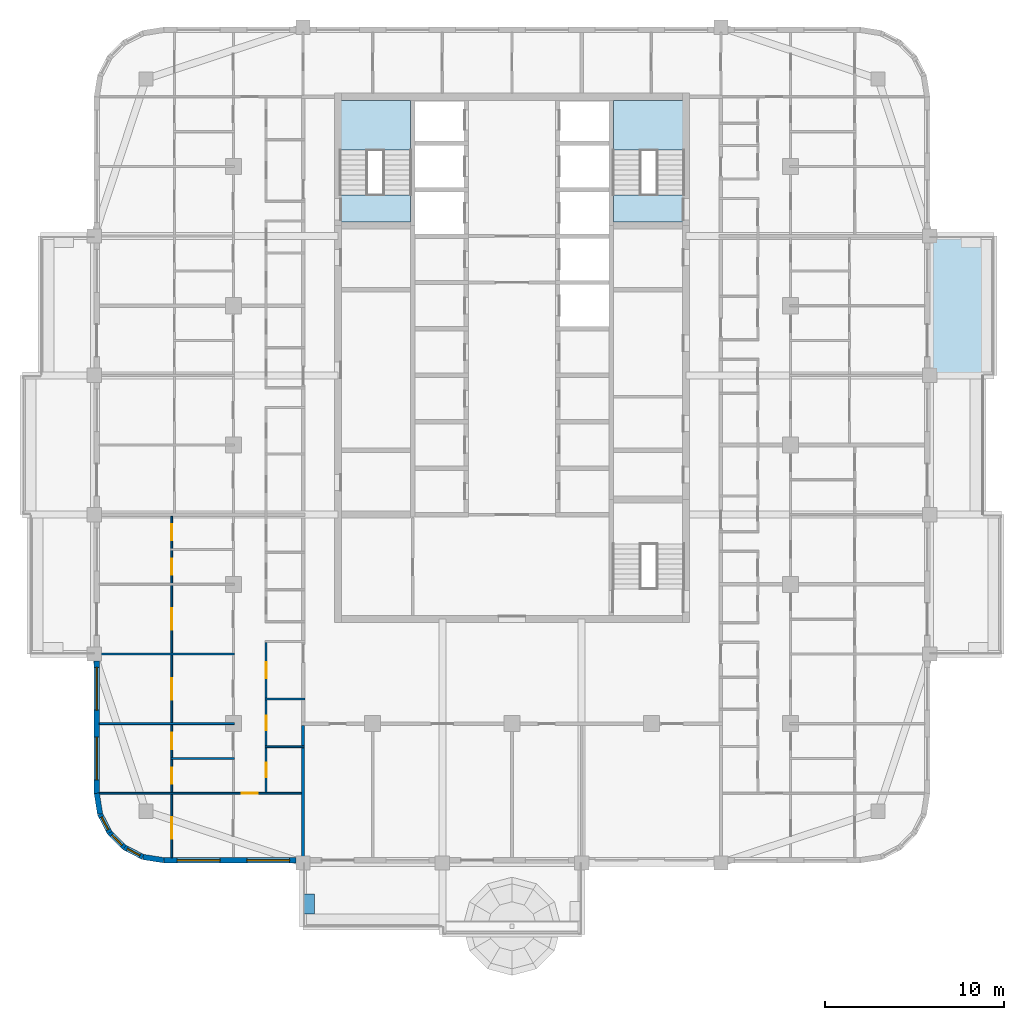
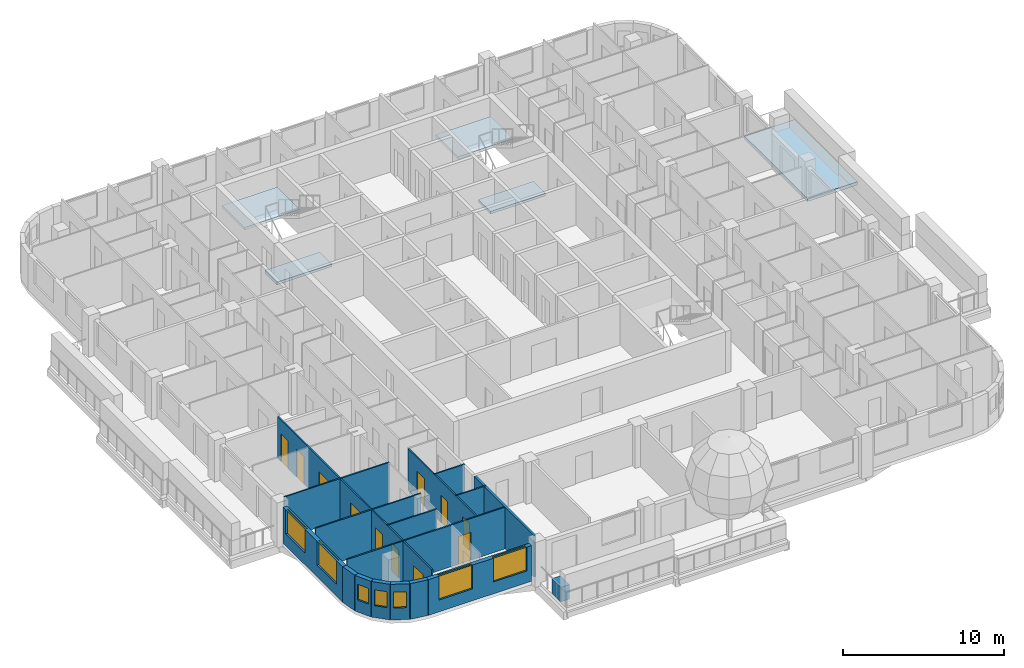
# One storey, part 2 of 17: 17 walls, 11 doors, 7 windows, 5 slabs, 18 openings, 2 elements without a shape of their own.
"""IFC4 building model written with IfcOpenShell, lengths in metres."""

from ifc_helpers import new_model, si_unit, direction, frame, frame_2d, origin, place, context, subcontext, project, spatial, polyline, rectangle, outline, extrude, material, layer, layer_set, type_object, element, fill, aggregate, save


model = new_model("IFC4")

# Units and contexts
model_context = context("Model", 3, precision=1e-05, world=origin(), true_north=direction((0.0, 1.0)))
body_context = subcontext(model_context, "Body", "Model", "MODEL_VIEW")
ifc_project = project(units=[si_unit("LENGTHUNIT", "METRE"), si_unit("AREAUNIT", "SQUARE_METRE"), si_unit("VOLUMEUNIT", "CUBIC_METRE"), si_unit("PLANEANGLEUNIT", "RADIAN"), si_unit("MASSUNIT", "GRAM", prefix="KILO")], contexts=[model_context])

# Site, building, storey
site_placement = place(None, origin())
site = spatial("IfcSite", under=ifc_project, at=site_placement, CompositionType="ELEMENT")
building_placement = place(site_placement, origin())
building = spatial("IfcBuilding", under=site, at=building_placement, Name="Ludao Terraces", CompositionType="ELEMENT")
storey_placement = place(building_placement, frame((0.0, 0.0, 221.10009765625)))
storey = spatial("IfcBuildingStorey", under=building, at=storey_placement, Name="L60", CompositionType="ELEMENT", Elevation=221.10009765625)

# Slab
ifc_material_1 = material(Name="Concrete C40", Category="concrete")
ifc_layer_1 = layer(ifc_material_1, 0.25)
ifc_layer_set_1 = layer_set([ifc_layer_1], Name="Balcony slab 250 C40")
slab_type_1 = type_object("IfcSlabType", Name="Balcony slab 250 C40", PredefinedType="USERDEFINED", material=ifc_layer_set_1)
slab_1_placement = place(storey_placement, frame((0.0, 0.0, -0.25)))
element("IfcSlab", 1, at=slab_1_placement, inside=storey, type_object=slab_type_1, Name="Balcony L60 E3", ObjectType="BALCONY", PredefinedType="USERDEFINED", context=body_context, shape_type="SweptSolid", body=[
    extrude(outline(polyline([(108.39990234375, 68.89990234375), (112.0, 68.89990234375), (112.0, 76.699951171875), (108.39990234375, 76.699951171875), (108.39990234375, 68.89990234375)])), origin(), (0.0, 0.0, 1.0), 0.25),
])

# Stair, slabs
stair_type = type_object("IfcStairType", Name="INT Stair", PredefinedType="HALF_TURN_STAIR", material=ifc_material_1)
stair_1_placement = place(storey_placement, origin())
stair_1 = element("IfcStair", 2, at=stair_1_placement, inside=storey, type_object=stair_type, Name="EXIT STAIR 1", PredefinedType="HALF_TURN_STAIR")
ifc_layer_2 = layer(ifc_material_1, 0.199951171875)
ifc_layer_set_2 = layer_set([ifc_layer_2], Name="INT Stair landing 200")
slab_type_2 = type_object("IfcSlabType", Name="INT Stair landing 200", PredefinedType="LANDING", material=ifc_layer_set_2)
slab_2_placement = place(storey_placement, frame((0.0, 0.0, 1.5)))
slab_2 = element("IfcSlab", 3, at=slab_2_placement, type_object=slab_type_2, Name="ST1 landing 1", PredefinedType="LANDING", context=body_context, shape_type="SweptSolid", body=[
    extrude(outline(polyline([(75.375, 81.52001953125), (79.324951171875, 81.52001953125), (79.324951171875, 84.300048828125), (75.375, 84.300048828125), (75.375, 81.52001953125)])), origin(), (0.0, 0.0, 1.0), 0.199951171875),
])
slab_3_placement = place(storey_placement, frame((0.0, 0.0, -0.2001953125)))
slab_3 = element("IfcSlab", 4, at=slab_3_placement, type_object=slab_type_2, Name="ST1 landing 2", PredefinedType="LANDING", context=body_context, shape_type="SweptSolid", body=[
    extrude(outline(polyline([(75.375, 77.5), (79.324951171875, 77.5), (79.324951171875, 79.0), (75.375, 79.0), (75.375, 77.5)])), origin(), (0.0, 0.0, 1.0), 0.2001953125),
])
aggregate(stair_1, [slab_2, slab_3])

stair_2_placement = place(storey_placement, origin())
stair_2 = element("IfcStair", 5, at=stair_2_placement, inside=storey, type_object=stair_type, Name="EXIT STAIR 2", PredefinedType="HALF_TURN_STAIR")
slab_4_placement = place(storey_placement, frame((0.0, 0.0, 1.5)))
slab_4 = element("IfcSlab", 6, at=slab_4_placement, type_object=slab_type_2, Name="ST2 landing 1", PredefinedType="LANDING", context=body_context, shape_type="SweptSolid", body=[
    extrude(outline(polyline([(90.675048828125, 81.52001953125), (94.625, 81.52001953125), (94.625, 84.300048828125), (90.675048828125, 84.300048828125), (90.675048828125, 81.52001953125)])), origin(), (0.0, 0.0, 1.0), 0.199951171875),
])
slab_5_placement = place(storey_placement, frame((0.0, 0.0, -0.2001953125)))
slab_5 = element("IfcSlab", 7, at=slab_5_placement, type_object=slab_type_2, Name="ST2 landing 2", PredefinedType="LANDING", context=body_context, shape_type="SweptSolid", body=[
    extrude(outline(polyline([(90.675048828125, 77.5), (94.625, 77.5), (94.625, 79.0), (90.675048828125, 79.0), (90.675048828125, 77.5)])), origin(), (0.0, 0.0, 1.0), 0.2001953125),
])
aggregate(stair_2, [slab_4, slab_5])

# Wall
ifc_layer_3 = layer(ifc_material_1, 0.60009765625)
ifc_layer_set_3 = layer_set([ifc_layer_3], Name="ENV Planter trough 600")
wall_type_1 = type_object("IfcWallType", Name="ENV Planter trough 600", PredefinedType="USERDEFINED", material=ifc_layer_set_3)
wall_1_placement = place(storey_placement, frame((73.64990234375, 38.75, 0.0), z_axis=(0.0, 0.0, 1.0), x_axis=(0.0, 1.0, 0.0)))
element("IfcWall", 8, at=wall_1_placement, inside=storey, type_object=wall_type_1, Name="PL-L60-S1-SA", ObjectType="PLANTER", PredefinedType="USERDEFINED", context=body_context, shape_type="SweptSolid", body=[
    extrude(rectangle(XDim=1.10009765625, YDim=0.60009765625, at=frame_2d((0.550048828125, 0.0))), origin(), (0.0, 0.0, 1.0), 1.099853515625),
])

# Wall, openings, windows
ifc_material_2 = material(Name="Granite cladding", Category="masonry")
ifc_layer_4 = layer(ifc_material_2, 0.0400390625, Category="stone")
ifc_material_3 = material(Name="Mineral wool")
ifc_layer_5 = layer(ifc_material_3, 0.06005859375)
ifc_layer_6 = layer(ifc_material_1, 0.199951171875, Category="concrete")
ifc_layer_set_4 = layer_set([ifc_layer_4, ifc_layer_5, ifc_layer_6], Name="ENV Stone-clad wall 300")
wall_type_2 = type_object("IfcWallType", Name="ENV Stone-clad wall 300", PredefinedType="SOLIDWALL", material=ifc_layer_set_4)
wall_2_placement = place(storey_placement, frame((65.5, 41.75, 0.0), z_axis=(0.0, 0.0, 1.0), x_axis=(1.0, 0.0, 0.0)))
wall_2 = element("IfcWall", 9, at=wall_2_placement, inside=storey, type_object=wall_type_2, Name="EW-L60-S1", PredefinedType="SOLIDWALL", context=body_context, shape_type="SweptSolid", body=[
    extrude(rectangle(XDim=7.39990234375, YDim=0.300048828125, at=frame_2d((3.699951171875, 0.0))), origin(), (0.0, 0.0, 1.0), 2.699951171875),
])
opening_1_placement = place(wall_2_placement, frame((0.75, 0.0, 0.89990234375)))
opening_1 = element("IfcOpeningElement", 10, at=opening_1_placement, cuts=wall_2, Name="Opening W1", PredefinedType="OPENING", context=body_context, shape_type="SweptSolid", body=[
    extrude(rectangle(XDim=2.39990234375, YDim=1.800048828125, at=frame_2d((1.199951171875, 0.89990234375))), frame((0.0, 0.16015625, 0.0), z_axis=(0.0, -1.0, 0.0), x_axis=(1.0, 0.0, 0.0)), (0.0, 0.0, 1.0), 0.320068359375),
])
opening_2_placement = place(wall_2_placement, frame((4.64990234375, 0.0, 0.89990234375)))
opening_2 = element("IfcOpeningElement", 11, at=opening_2_placement, cuts=wall_2, Name="Opening W1", PredefinedType="OPENING", context=body_context, shape_type="SweptSolid", body=[
    extrude(rectangle(XDim=2.39990234375, YDim=1.800048828125, at=frame_2d((1.199951171875, 0.89990234375))), frame((0.0, 0.16015625, 0.0), z_axis=(0.0, -1.0, 0.0), x_axis=(1.0, 0.0, 0.0)), (0.0, 0.0, 1.0), 0.320068359375),
])
ifc_material_4 = material(Name="Clear glass in aluminium frame", Category="aluminium")
ifc_layer_7 = layer(ifc_material_4, 0.06005859375)
ifc_layer_set_5 = layer_set([ifc_layer_7], Name="ENV Window W1 2400x1800")
window_type_1 = type_object("IfcWindowType", Name="ENV Window W1 2400x1800", PartitioningType="DOUBLE_PANEL_VERTICAL", PredefinedType="WINDOW", material=ifc_layer_set_5)
window_1_placement = place(opening_1_placement, origin())
window_1 = element("IfcWindow", 12, at=window_1_placement, inside=storey, type_object=window_type_1, Name="W-L60-S1-1", OverallHeight=1.800048828125, OverallWidth=2.39990234375, PartitioningType="DOUBLE_PANEL_VERTICAL", PredefinedType="WINDOW", context=body_context, shape_type="SweptSolid", body=[
    extrude(rectangle(XDim=2.39990234375, YDim=1.800048828125, at=frame_2d((1.199951171875, 0.89990234375))), frame((0.0, 0.030029296875, 0.0), z_axis=(0.0, -1.0, 0.0), x_axis=(1.0, 0.0, 0.0)), (0.0, 0.0, 1.0), 0.06005859375),
])
fill(opening_1, window_1)
window_2_placement = place(opening_2_placement, origin())
window_2 = element("IfcWindow", 13, at=window_2_placement, inside=storey, type_object=window_type_1, Name="W-L60-S1-2", OverallHeight=1.800048828125, OverallWidth=2.39990234375, PartitioningType="DOUBLE_PANEL_VERTICAL", PredefinedType="WINDOW", context=body_context, shape_type="SweptSolid", body=[
    extrude(rectangle(XDim=2.39990234375, YDim=1.800048828125, at=frame_2d((1.199951171875, 0.89990234375))), frame((0.0, 0.030029296875, 0.0), z_axis=(0.0, -1.0, 0.0), x_axis=(1.0, 0.0, 0.0)), (0.0, 0.0, 1.0), 0.06005859375),
])
fill(opening_2, window_2)

wall_3_placement = place(storey_placement, frame((61.75, 45.5, 0.0), z_axis=(0.0, 0.0, 1.0), x_axis=(0.0, 1.0, 0.0)))
wall_3 = element("IfcWall", 14, at=wall_3_placement, inside=storey, type_object=wall_type_2, Name="EW-L60-W1", PredefinedType="SOLIDWALL", context=body_context, shape_type="SweptSolid", body=[
    extrude(rectangle(XDim=7.39990234375, YDim=0.300048828125, at=frame_2d((3.699951171875, 0.0))), origin(), (0.0, 0.0, 1.0), 2.699951171875),
])
opening_3_placement = place(wall_3_placement, frame((0.75, 0.0, 0.89990234375)))
opening_3 = element("IfcOpeningElement", 15, at=opening_3_placement, cuts=wall_3, Name="Opening W1", PredefinedType="OPENING", context=body_context, shape_type="SweptSolid", body=[
    extrude(rectangle(XDim=2.39990234375, YDim=1.800048828125, at=frame_2d((1.199951171875, 0.89990234375))), frame((0.0, 0.16015625, 0.0), z_axis=(0.0, -1.0, 0.0), x_axis=(1.0, 0.0, 0.0)), (0.0, 0.0, 1.0), 0.320068359375),
])
opening_4_placement = place(wall_3_placement, frame((4.64990234375, 0.0, 0.89990234375)))
opening_4 = element("IfcOpeningElement", 16, at=opening_4_placement, cuts=wall_3, Name="Opening W1", PredefinedType="OPENING", context=body_context, shape_type="SweptSolid", body=[
    extrude(rectangle(XDim=2.39990234375, YDim=1.800048828125, at=frame_2d((1.199951171875, 0.89990234375))), frame((0.0, 0.16015625, 0.0), z_axis=(0.0, -1.0, 0.0), x_axis=(1.0, 0.0, 0.0)), (0.0, 0.0, 1.0), 0.320068359375),
])
window_3_placement = place(opening_3_placement, origin())
window_3 = element("IfcWindow", 17, at=window_3_placement, inside=storey, type_object=window_type_1, Name="W-L60-W1-1", OverallHeight=1.800048828125, OverallWidth=2.39990234375, PartitioningType="DOUBLE_PANEL_VERTICAL", PredefinedType="WINDOW", context=body_context, shape_type="SweptSolid", body=[
    extrude(rectangle(XDim=2.39990234375, YDim=1.800048828125, at=frame_2d((1.199951171875, 0.89990234375))), frame((0.0, 0.030029296875, 0.0), z_axis=(0.0, -1.0, 0.0), x_axis=(1.0, 0.0, 0.0)), (0.0, 0.0, 1.0), 0.06005859375),
])
fill(opening_3, window_3)
window_4_placement = place(opening_4_placement, origin())
window_4 = element("IfcWindow", 18, at=window_4_placement, inside=storey, type_object=window_type_1, Name="W-L60-W1-2", OverallHeight=1.800048828125, OverallWidth=2.39990234375, PartitioningType="DOUBLE_PANEL_VERTICAL", PredefinedType="WINDOW", context=body_context, shape_type="SweptSolid", body=[
    extrude(rectangle(XDim=2.39990234375, YDim=1.800048828125, at=frame_2d((1.199951171875, 0.89990234375))), frame((0.0, 0.030029296875, 0.0), z_axis=(0.0, -1.0, 0.0), x_axis=(1.0, 0.0, 0.0)), (0.0, 0.0, 1.0), 0.06005859375),
])
fill(opening_4, window_4)

# Wall
wall_4_placement = place(storey_placement, frame((61.75, 45.5, 0.0), z_axis=(0.0, 0.0, 1.0), x_axis=(0.156496880861, -0.987678452879, 0.0)))
element("IfcWall", 19, at=wall_4_placement, inside=storey, type_object=wall_type_2, Name="EW-L60-SW1", PredefinedType="SOLIDWALL", context=body_context, shape_type="SweptSolid", body=[
    extrude(rectangle(XDim=1.173095703125, YDim=0.300048828125, at=frame_2d((0.58642578125, 0.0))), origin(), (0.0, 0.0, 1.0), 2.699951171875),
])

# Wall, opening, window
wall_5_placement = place(storey_placement, frame((61.93359375, 44.34130859375, 0.0), z_axis=(0.0, 0.0, 1.0), x_axis=(0.454025524128, -0.890988677504, 0.0)))
wall_5 = element("IfcWall", 20, at=wall_5_placement, inside=storey, type_object=wall_type_2, Name="EW-L60-SW2", PredefinedType="SOLIDWALL", context=body_context, shape_type="SweptSolid", body=[
    extrude(rectangle(XDim=1.17333984375, YDim=0.300048828125, at=frame_2d((0.586669921875, 0.0))), origin(), (0.0, 0.0, 1.0), 2.699951171875),
])
opening_5_placement = place(wall_5_placement, frame((0.1865234375, 0.0, 0.89990234375)))
opening_5 = element("IfcOpeningElement", 21, at=opening_5_placement, cuts=wall_5, Name="Opening W3", PredefinedType="OPENING", context=body_context, shape_type="SweptSolid", body=[
    extrude(rectangle(XDim=0.800048828125, YDim=1.199951171875, at=frame_2d((0.39990234375, 0.60009765625))), frame((0.0, 0.16015625, 0.0), z_axis=(0.0, -1.0, 0.0), x_axis=(1.0, 0.0, 0.0)), (0.0, 0.0, 1.0), 0.320068359375),
])
ifc_layer_8 = layer(ifc_material_4, 0.06005859375)
ifc_layer_set_6 = layer_set([ifc_layer_8], Name="ENV Window W3 800x1200")
window_type_2 = type_object("IfcWindowType", Name="ENV Window W3 800x1200", PartitioningType="SINGLE_PANEL", PredefinedType="WINDOW", material=ifc_layer_set_6)
window_5_placement = place(opening_5_placement, origin())
window_5 = element("IfcWindow", 22, at=window_5_placement, inside=storey, type_object=window_type_2, Name="W-L60-SW2", OverallHeight=1.199951171875, OverallWidth=0.800048828125, PartitioningType="SINGLE_PANEL", PredefinedType="WINDOW", context=body_context, shape_type="SweptSolid", body=[
    extrude(rectangle(XDim=0.800048828125, YDim=1.199951171875, at=frame_2d((0.39990234375, 0.60009765625))), frame((0.0, 0.030029296875, 0.0), z_axis=(0.0, -1.0, 0.0), x_axis=(1.0, 0.0, 0.0)), (0.0, 0.0, 1.0), 0.06005859375),
])
fill(opening_5, window_5)

wall_6_placement = place(storey_placement, frame((62.46630859375, 43.2958984375, 0.0), z_axis=(0.0, 0.0, 1.0), x_axis=(0.707106781187, -0.707106781187, 0.0)))
wall_6 = element("IfcWall", 23, at=wall_6_placement, inside=storey, type_object=wall_type_2, Name="EW-L60-SW3", PredefinedType="SOLIDWALL", context=body_context, shape_type="SweptSolid", body=[
    extrude(rectangle(XDim=1.173095703125, YDim=0.300048828125, at=frame_2d((0.58642578125, 0.0))), origin(), (0.0, 0.0, 1.0), 2.699951171875),
])
opening_6_placement = place(wall_6_placement, frame((0.1865234375, 0.0, 0.89990234375)))
opening_6 = element("IfcOpeningElement", 24, at=opening_6_placement, cuts=wall_6, Name="Opening W3", PredefinedType="OPENING", context=body_context, shape_type="SweptSolid", body=[
    extrude(rectangle(XDim=0.800048828125, YDim=1.199951171875, at=frame_2d((0.39990234375, 0.60009765625))), frame((0.0, 0.16015625, 0.0), z_axis=(0.0, -1.0, 0.0), x_axis=(1.0, 0.0, 0.0)), (0.0, 0.0, 1.0), 0.320068359375),
])
window_6_placement = place(opening_6_placement, origin())
window_6 = element("IfcWindow", 25, at=window_6_placement, inside=storey, type_object=window_type_2, Name="W-L60-SW3", OverallHeight=1.199951171875, OverallWidth=0.800048828125, PartitioningType="SINGLE_PANEL", PredefinedType="WINDOW", context=body_context, shape_type="SweptSolid", body=[
    extrude(rectangle(XDim=0.800048828125, YDim=1.199951171875, at=frame_2d((0.39990234375, 0.60009765625))), frame((0.0, 0.030029296875, 0.0), z_axis=(0.0, -1.0, 0.0), x_axis=(1.0, 0.0, 0.0)), (0.0, 0.0, 1.0), 0.06005859375),
])
fill(opening_6, window_6)

wall_7_placement = place(storey_placement, frame((63.2958984375, 42.46630859375, 0.0), z_axis=(0.0, 0.0, 1.0), x_axis=(0.890988677504, -0.454025524128, 0.0)))
wall_7 = element("IfcWall", 26, at=wall_7_placement, inside=storey, type_object=wall_type_2, Name="EW-L60-SW4", PredefinedType="SOLIDWALL", context=body_context, shape_type="SweptSolid", body=[
    extrude(rectangle(XDim=1.17333984375, YDim=0.300048828125, at=frame_2d((0.586669921875, 0.0))), origin(), (0.0, 0.0, 1.0), 2.699951171875),
])
opening_7_placement = place(wall_7_placement, frame((0.1865234375, 0.0, 0.89990234375)))
opening_7 = element("IfcOpeningElement", 27, at=opening_7_placement, cuts=wall_7, Name="Opening W3", PredefinedType="OPENING", context=body_context, shape_type="SweptSolid", body=[
    extrude(rectangle(XDim=0.800048828125, YDim=1.199951171875, at=frame_2d((0.39990234375, 0.60009765625))), frame((0.0, 0.16015625, 0.0), z_axis=(0.0, -1.0, 0.0), x_axis=(1.0, 0.0, 0.0)), (0.0, 0.0, 1.0), 0.320068359375),
])
window_7_placement = place(opening_7_placement, origin())
window_7 = element("IfcWindow", 28, at=window_7_placement, inside=storey, type_object=window_type_2, Name="W-L60-SW4", OverallHeight=1.199951171875, OverallWidth=0.800048828125, PartitioningType="SINGLE_PANEL", PredefinedType="WINDOW", context=body_context, shape_type="SweptSolid", body=[
    extrude(rectangle(XDim=0.800048828125, YDim=1.199951171875, at=frame_2d((0.39990234375, 0.60009765625))), frame((0.0, 0.030029296875, 0.0), z_axis=(0.0, -1.0, 0.0), x_axis=(1.0, 0.0, 0.0)), (0.0, 0.0, 1.0), 0.06005859375),
])
fill(opening_7, window_7)

# Wall
wall_8_placement = place(storey_placement, frame((64.34130859375, 41.93359375, 0.0), z_axis=(0.0, 0.0, 1.0), x_axis=(0.987678452879, -0.156496880861, 0.0)))
element("IfcWall", 29, at=wall_8_placement, inside=storey, type_object=wall_type_2, Name="EW-L60-SW5", PredefinedType="SOLIDWALL", context=body_context, shape_type="SweptSolid", body=[
    extrude(rectangle(XDim=1.173095703125, YDim=0.300048828125, at=frame_2d((0.58642578125, 0.0))), origin(), (0.0, 0.0, 1.0), 2.699951171875),
])

# Wall, opening, door
ifc_material_5 = material(Name="Gypsum plasterboard", Category="gypsum")
ifc_layer_9 = layer(ifc_material_5, 0.012451171875, Category="gypsum")
ifc_layer_10 = layer(ifc_material_3, 0.06005859375, Name="insulation")
ifc_material_6 = material(Name="Steel Q235", Category="steel")
ifc_layer_11 = layer(ifc_material_6, 0.014892578125, Name="stud")
ifc_layer_12 = layer(ifc_material_5, 0.012451171875, Category="gypsum")
ifc_layer_set_7 = layer_set([ifc_layer_9, ifc_layer_10, ifc_layer_11, ifc_layer_12], Name="INT Partition 100")
wall_type_3 = type_object("IfcWallType", Name="INT Partition 100", PredefinedType="PARTITIONING", material=ifc_layer_set_7)
wall_9_placement = place(storey_placement, frame((61.900146484375, 45.5, 0.0), z_axis=(0.0, 0.0, 1.0), x_axis=(1.0, 0.0, 0.0)))
wall_9 = element("IfcWall", 30, at=wall_9_placement, inside=storey, type_object=wall_type_3, Name="PW-L60-PW000", PredefinedType="PARTITIONING", context=body_context, shape_type="SweptSolid", body=[
    extrude(rectangle(XDim=11.474853515625, YDim=0.10009765625, at=frame_2d((5.7373046875, 0.0))), origin(), (0.0, 0.0, 1.0), 3.14990234375),
])
opening_8_placement = place(wall_9_placement, frame((7.965087890625, 0.0, 0.0)))
opening_8 = element("IfcOpeningElement", 31, at=opening_8_placement, cuts=wall_9, Name="Opening R21-005", PredefinedType="OPENING", context=body_context, shape_type="SweptSolid", body=[
    extrude(rectangle(XDim=0.89990234375, YDim=2.10009765625, at=frame_2d((0.449951171875, 1.050048828125))), frame((0.0, 0.06005859375, 0.0), z_axis=(0.0, -1.0, 0.0), x_axis=(1.0, 0.0, 0.0)), (0.0, 0.0, 1.0), 0.1201171875),
])
ifc_material_7 = material(Name="Timber door leaf", Category="wood")
door_type_1 = type_object("IfcDoorType", Name="INT Room door 900", OperationType="SINGLE_SWING_LEFT", PredefinedType="DOOR", material=ifc_material_7)
door_1_placement = place(opening_8_placement, origin())
door_1 = element("IfcDoor", 32, at=door_1_placement, inside=storey, type_object=door_type_1, Name="DOOR 005", OperationType="SINGLE_SWING_LEFT", OverallHeight=2.10009765625, OverallWidth=0.89990234375, PredefinedType="DOOR", context=body_context, shape_type="SweptSolid", body=[
    extrude(rectangle(XDim=0.89990234375, YDim=2.10009765625, at=frame_2d((0.449951171875, 1.050048828125))), frame((0.0, 0.02490234375, 0.0), z_axis=(0.0, -1.0, 0.0), x_axis=(1.0, 0.0, 0.0)), (0.0, 0.0, 1.0), 0.050048828125),
])
fill(opening_8, door_1)

# Walls
wall_10_placement = place(storey_placement, frame((65.900146484375, 47.449951171875, 0.0), z_axis=(0.0, 0.0, 1.0), x_axis=(1.0, 0.0, 0.0)))
element("IfcWall", 33, at=wall_10_placement, inside=storey, type_object=wall_type_3, Name="PW-L60-PW002", PredefinedType="PARTITIONING", context=body_context, shape_type="SweptSolid", body=[
    extrude(rectangle(XDim=3.550048828125, YDim=0.10009765625, at=frame_2d((1.77490234375, 0.0))), origin(), (0.0, 0.0, 1.0), 3.14990234375),
])
wall_11_placement = place(storey_placement, frame((71.18017578125, 48.10009765625, 0.0), z_axis=(0.0, 0.0, 1.0), x_axis=(1.0, 0.0, 0.0)))
element("IfcWall", 34, at=wall_11_placement, inside=storey, type_object=wall_type_3, Name="PW-L60-PW004", PredefinedType="PARTITIONING", context=body_context, shape_type="SweptSolid", body=[
    extrude(rectangle(XDim=2.19482421875, YDim=0.10009765625, at=frame_2d((1.097412109375, 0.0))), origin(), (0.0, 0.0, 1.0), 3.14990234375),
])
wall_12_placement = place(storey_placement, frame((61.900146484375, 49.39990234375, 0.0), z_axis=(0.0, 0.0, 1.0), x_axis=(1.0, 0.0, 0.0)))
element("IfcWall", 35, at=wall_12_placement, inside=storey, type_object=wall_type_3, Name="PW-L60-PW006", PredefinedType="PARTITIONING", context=body_context, shape_type="SweptSolid", body=[
    extrude(rectangle(XDim=7.550048828125, YDim=0.10009765625, at=frame_2d((3.77490234375, 0.0))), origin(), (0.0, 0.0, 1.0), 3.14990234375),
])
wall_13_placement = place(storey_placement, frame((71.18017578125, 50.780029296875, 0.0), z_axis=(0.0, 0.0, 1.0), x_axis=(1.0, 0.0, 0.0)))
element("IfcWall", 36, at=wall_13_placement, inside=storey, type_object=wall_type_3, Name="PW-L60-PW010", PredefinedType="PARTITIONING", context=body_context, shape_type="SweptSolid", body=[
    extrude(rectangle(XDim=2.219970703125, YDim=0.10009765625, at=frame_2d((1.10986328125, 0.0))), origin(), (0.0, 0.0, 1.0), 3.14990234375),
])
wall_14_placement = place(storey_placement, frame((61.900146484375, 53.300048828125, 0.0), z_axis=(0.0, 0.0, 1.0), x_axis=(1.0, 0.0, 0.0)))
element("IfcWall", 37, at=wall_14_placement, inside=storey, type_object=wall_type_3, Name="PW-L60-PW012", PredefinedType="PARTITIONING", context=body_context, shape_type="SweptSolid", body=[
    extrude(rectangle(XDim=7.550048828125, YDim=0.10009765625, at=frame_2d((3.77490234375, 0.0))), origin(), (0.0, 0.0, 1.0), 3.14990234375),
])

# Wall, openings, doors
wall_15_placement = place(storey_placement, frame((65.949951171875, 41.900146484375, 0.0), z_axis=(0.0, 0.0, 1.0), x_axis=(0.0, 1.0, 0.0)))
wall_15 = element("IfcWall", 38, at=wall_15_placement, inside=storey, type_object=wall_type_3, Name="PW-L60-PW070", PredefinedType="PARTITIONING", context=body_context, shape_type="SweptSolid", body=[
    extrude(rectangle(XDim=19.099853515625, YDim=0.10009765625, at=frame_2d((9.5498046875, 0.0))), origin(), (0.0, 0.0, 1.0), 3.14990234375),
])
opening_9_placement = place(wall_15_placement, frame((1.050048828125, 0.0, 0.0)))
opening_9 = element("IfcOpeningElement", 39, at=opening_9_placement, cuts=wall_15, Name="Opening R21-001", PredefinedType="OPENING", context=body_context, shape_type="SweptSolid", body=[
    extrude(rectangle(XDim=1.199951171875, YDim=2.10009765625, at=frame_2d((0.60009765625, 1.050048828125))), frame((0.0, 0.06005859375, 0.0), z_axis=(0.0, -1.0, 0.0), x_axis=(1.0, 0.0, 0.0)), (0.0, 0.0, 1.0), 0.1201171875),
])
opening_10_placement = place(wall_15_placement, frame((4.125, 0.0, 0.0)))
opening_10 = element("IfcOpeningElement", 40, at=opening_10_placement, cuts=wall_15, Name="Opening R21-007", PredefinedType="OPENING", context=body_context, shape_type="SweptSolid", body=[
    extrude(rectangle(XDim=0.89990234375, YDim=2.10009765625, at=frame_2d((0.449951171875, 1.050048828125))), frame((0.0, 0.06005859375, 0.0), z_axis=(0.0, -1.0, 0.0), x_axis=(1.0, 0.0, 0.0)), (0.0, 0.0, 1.0), 0.1201171875),
])
opening_11_placement = place(wall_15_placement, frame((6.074951171875, 0.0, 0.0)))
opening_11 = element("IfcOpeningElement", 41, at=opening_11_placement, cuts=wall_15, Name="Opening R21-013", PredefinedType="OPENING", context=body_context, shape_type="SweptSolid", body=[
    extrude(rectangle(XDim=0.89990234375, YDim=2.10009765625, at=frame_2d((0.449951171875, 1.050048828125))), frame((0.0, 0.06005859375, 0.0), z_axis=(0.0, -1.0, 0.0), x_axis=(1.0, 0.0, 0.0)), (0.0, 0.0, 1.0), 0.1201171875),
])
opening_12_placement = place(wall_15_placement, frame((8.85009765625, 0.0, 0.0)))
opening_12 = element("IfcOpeningElement", 42, at=opening_12_placement, cuts=wall_15, Name="Opening R21-022", PredefinedType="OPENING", context=body_context, shape_type="SweptSolid", body=[
    extrude(rectangle(XDim=1.199951171875, YDim=2.10009765625, at=frame_2d((0.60009765625, 1.050048828125))), frame((0.0, 0.06005859375, 0.0), z_axis=(0.0, -1.0, 0.0), x_axis=(1.0, 0.0, 0.0)), (0.0, 0.0, 1.0), 0.1201171875),
])
opening_13_placement = place(wall_15_placement, frame((12.75, 0.0, 0.0)))
opening_13 = element("IfcOpeningElement", 43, at=opening_13_placement, cuts=wall_15, Name="Opening R21-031", PredefinedType="OPENING", context=body_context, shape_type="SweptSolid", body=[
    extrude(rectangle(XDim=1.199951171875, YDim=2.10009765625, at=frame_2d((0.60009765625, 1.050048828125))), frame((0.0, 0.06005859375, 0.0), z_axis=(0.0, -1.0, 0.0), x_axis=(1.0, 0.0, 0.0)), (0.0, 0.0, 1.0), 0.1201171875),
])
opening_14_placement = place(wall_15_placement, frame((15.824951171875, 0.0, 0.0)))
opening_14 = element("IfcOpeningElement", 44, at=opening_14_placement, cuts=wall_15, Name="Opening R21-043", PredefinedType="OPENING", context=body_context, shape_type="SweptSolid", body=[
    extrude(rectangle(XDim=0.89990234375, YDim=2.10009765625, at=frame_2d((0.449951171875, 1.050048828125))), frame((0.0, 0.06005859375, 0.0), z_axis=(0.0, -1.0, 0.0), x_axis=(1.0, 0.0, 0.0)), (0.0, 0.0, 1.0), 0.1201171875),
])
opening_15_placement = place(wall_15_placement, frame((17.77490234375, 0.0, 0.0)))
opening_15 = element("IfcOpeningElement", 45, at=opening_15_placement, cuts=wall_15, Name="Opening R21-047", PredefinedType="OPENING", context=body_context, shape_type="SweptSolid", body=[
    extrude(rectangle(XDim=0.89990234375, YDim=2.10009765625, at=frame_2d((0.449951171875, 1.050048828125))), frame((0.0, 0.06005859375, 0.0), z_axis=(0.0, -1.0, 0.0), x_axis=(1.0, 0.0, 0.0)), (0.0, 0.0, 1.0), 0.1201171875),
])
door_type_2 = type_object("IfcDoorType", Name="INT Bathroom door 900", OperationType="SINGLE_SWING_LEFT", PredefinedType="DOOR", material=ifc_material_7)
door_2_placement = place(opening_10_placement, origin())
door_2 = element("IfcDoor", 46, at=door_2_placement, inside=storey, type_object=door_type_2, Name="DOOR 007", OperationType="SINGLE_SWING_LEFT", OverallHeight=2.10009765625, OverallWidth=0.89990234375, PredefinedType="DOOR", context=body_context, shape_type="SweptSolid", body=[
    extrude(rectangle(XDim=0.89990234375, YDim=2.10009765625, at=frame_2d((0.449951171875, 1.050048828125))), frame((0.0, 0.02490234375, 0.0), z_axis=(0.0, -1.0, 0.0), x_axis=(1.0, 0.0, 0.0)), (0.0, 0.0, 1.0), 0.050048828125),
])
fill(opening_10, door_2)
door_3_placement = place(opening_14_placement, origin())
door_3 = element("IfcDoor", 47, at=door_3_placement, inside=storey, type_object=door_type_2, Name="DOOR 043", OperationType="SINGLE_SWING_LEFT", OverallHeight=2.10009765625, OverallWidth=0.89990234375, PredefinedType="DOOR", context=body_context, shape_type="SweptSolid", body=[
    extrude(rectangle(XDim=0.89990234375, YDim=2.10009765625, at=frame_2d((0.449951171875, 1.050048828125))), frame((0.0, 0.02490234375, 0.0), z_axis=(0.0, -1.0, 0.0), x_axis=(1.0, 0.0, 0.0)), (0.0, 0.0, 1.0), 0.050048828125),
])
fill(opening_14, door_3)
door_type_3 = type_object("IfcDoorType", Name="INT Double door 1200", OperationType="DOUBLE_DOOR_SINGLE_SWING", PredefinedType="DOOR", material=ifc_material_7)
door_4_placement = place(opening_9_placement, origin())
door_4 = element("IfcDoor", 48, at=door_4_placement, inside=storey, type_object=door_type_3, Name="DOOR 001", OperationType="DOUBLE_DOOR_SINGLE_SWING", OverallHeight=2.10009765625, OverallWidth=1.199951171875, PredefinedType="DOOR", context=body_context, shape_type="SweptSolid", body=[
    extrude(rectangle(XDim=1.199951171875, YDim=2.10009765625, at=frame_2d((0.60009765625, 1.050048828125))), frame((0.0, 0.02490234375, 0.0), z_axis=(0.0, -1.0, 0.0), x_axis=(1.0, 0.0, 0.0)), (0.0, 0.0, 1.0), 0.050048828125),
])
fill(opening_9, door_4)
door_5_placement = place(opening_12_placement, origin())
door_5 = element("IfcDoor", 49, at=door_5_placement, inside=storey, type_object=door_type_3, Name="DOOR 022", OperationType="DOUBLE_DOOR_SINGLE_SWING", OverallHeight=2.10009765625, OverallWidth=1.199951171875, PredefinedType="DOOR", context=body_context, shape_type="SweptSolid", body=[
    extrude(rectangle(XDim=1.199951171875, YDim=2.10009765625, at=frame_2d((0.60009765625, 1.050048828125))), frame((0.0, 0.02490234375, 0.0), z_axis=(0.0, -1.0, 0.0), x_axis=(1.0, 0.0, 0.0)), (0.0, 0.0, 1.0), 0.050048828125),
])
fill(opening_12, door_5)
door_6_placement = place(opening_13_placement, origin())
door_6 = element("IfcDoor", 50, at=door_6_placement, inside=storey, type_object=door_type_3, Name="DOOR 031", OperationType="DOUBLE_DOOR_SINGLE_SWING", OverallHeight=2.10009765625, OverallWidth=1.199951171875, PredefinedType="DOOR", context=body_context, shape_type="SweptSolid", body=[
    extrude(rectangle(XDim=1.199951171875, YDim=2.10009765625, at=frame_2d((0.60009765625, 1.050048828125))), frame((0.0, 0.02490234375, 0.0), z_axis=(0.0, -1.0, 0.0), x_axis=(1.0, 0.0, 0.0)), (0.0, 0.0, 1.0), 0.050048828125),
])
fill(opening_13, door_6)
door_7_placement = place(opening_11_placement, origin())
door_7 = element("IfcDoor", 51, at=door_7_placement, inside=storey, type_object=door_type_1, Name="DOOR 013", OperationType="SINGLE_SWING_RIGHT", OverallHeight=2.10009765625, OverallWidth=0.89990234375, PredefinedType="DOOR", context=body_context, shape_type="SweptSolid", body=[
    extrude(rectangle(XDim=0.89990234375, YDim=2.10009765625, at=frame_2d((0.449951171875, 1.050048828125))), frame((0.0, 0.02490234375, 0.0), z_axis=(0.0, -1.0, 0.0), x_axis=(1.0, 0.0, 0.0)), (0.0, 0.0, 1.0), 0.050048828125),
])
fill(opening_11, door_7)
door_8_placement = place(opening_15_placement, origin())
door_8 = element("IfcDoor", 52, at=door_8_placement, inside=storey, type_object=door_type_1, Name="DOOR 047", OperationType="SINGLE_SWING_LEFT", OverallHeight=2.10009765625, OverallWidth=0.89990234375, PredefinedType="DOOR", context=body_context, shape_type="SweptSolid", body=[
    extrude(rectangle(XDim=0.89990234375, YDim=2.10009765625, at=frame_2d((0.449951171875, 1.050048828125))), frame((0.0, 0.02490234375, 0.0), z_axis=(0.0, -1.0, 0.0), x_axis=(1.0, 0.0, 0.0)), (0.0, 0.0, 1.0), 0.050048828125),
])
fill(opening_15, door_8)

wall_16_placement = place(storey_placement, frame((71.22998046875, 45.550048828125, 0.0), z_axis=(0.0, 0.0, 1.0), x_axis=(0.0, 1.0, 0.0)))
wall_16 = element("IfcWall", 53, at=wall_16_placement, inside=storey, type_object=wall_type_3, Name="PW-L60-PW073", PredefinedType="PARTITIONING", context=body_context, shape_type="SweptSolid", body=[
    extrude(rectangle(XDim=8.400146484375, YDim=0.10009765625, at=frame_2d((4.2001953125, 0.0))), origin(), (0.0, 0.0, 1.0), 3.14990234375),
])
opening_16_placement = place(wall_16_placement, frame((0.85009765625, 0.0, 0.0)))
opening_16 = element("IfcOpeningElement", 54, at=opening_16_placement, cuts=wall_16, Name="Opening R21-009", PredefinedType="OPENING", context=body_context, shape_type="SweptSolid", body=[
    extrude(rectangle(XDim=0.800048828125, YDim=2.10009765625, at=frame_2d((0.39990234375, 1.050048828125))), frame((0.0, 0.06005859375, 0.0), z_axis=(0.0, -1.0, 0.0), x_axis=(1.0, 0.0, 0.0)), (0.0, 0.0, 1.0), 0.1201171875),
])
opening_17_placement = place(wall_16_placement, frame((3.489990234375, 0.0, 0.0)))
opening_17 = element("IfcOpeningElement", 55, at=opening_17_placement, cuts=wall_16, Name="Opening R21-020", PredefinedType="OPENING", context=body_context, shape_type="SweptSolid", body=[
    extrude(rectangle(XDim=0.800048828125, YDim=2.10009765625, at=frame_2d((0.39990234375, 1.050048828125))), frame((0.0, 0.06005859375, 0.0), z_axis=(0.0, -1.0, 0.0), x_axis=(1.0, 0.0, 0.0)), (0.0, 0.0, 1.0), 0.1201171875),
])
opening_18_placement = place(wall_16_placement, frame((6.389892578125, 0.0, 0.0)))
opening_18 = element("IfcOpeningElement", 56, at=opening_18_placement, cuts=wall_16, Name="Opening R21-026", PredefinedType="OPENING", context=body_context, shape_type="SweptSolid", body=[
    extrude(rectangle(XDim=0.89990234375, YDim=2.10009765625, at=frame_2d((0.449951171875, 1.050048828125))), frame((0.0, 0.06005859375, 0.0), z_axis=(0.0, -1.0, 0.0), x_axis=(1.0, 0.0, 0.0)), (0.0, 0.0, 1.0), 0.1201171875),
])
door_9_placement = place(opening_18_placement, origin())
door_9 = element("IfcDoor", 57, at=door_9_placement, inside=storey, type_object=door_type_1, Name="DOOR 026", OperationType="SINGLE_SWING_RIGHT", OverallHeight=2.10009765625, OverallWidth=0.89990234375, PredefinedType="DOOR", context=body_context, shape_type="SweptSolid", body=[
    extrude(rectangle(XDim=0.89990234375, YDim=2.10009765625, at=frame_2d((0.449951171875, 1.050048828125))), frame((0.0, 0.02490234375, 0.0), z_axis=(0.0, -1.0, 0.0), x_axis=(1.0, 0.0, 0.0)), (0.0, 0.0, 1.0), 0.050048828125),
])
fill(opening_18, door_9)
door_type_4 = type_object("IfcDoorType", Name="INT Store door 800", OperationType="SINGLE_SWING_LEFT", PredefinedType="DOOR", material=ifc_material_7)
door_10_placement = place(opening_16_placement, origin())
door_10 = element("IfcDoor", 58, at=door_10_placement, inside=storey, type_object=door_type_4, Name="DOOR 009", OperationType="SINGLE_SWING_LEFT", OverallHeight=2.10009765625, OverallWidth=0.800048828125, PredefinedType="DOOR", context=body_context, shape_type="SweptSolid", body=[
    extrude(rectangle(XDim=0.800048828125, YDim=2.10009765625, at=frame_2d((0.39990234375, 1.050048828125))), frame((0.0, 0.02490234375, 0.0), z_axis=(0.0, -1.0, 0.0), x_axis=(1.0, 0.0, 0.0)), (0.0, 0.0, 1.0), 0.050048828125),
])
fill(opening_16, door_10)
door_11_placement = place(opening_17_placement, origin())
door_11 = element("IfcDoor", 59, at=door_11_placement, inside=storey, type_object=door_type_4, Name="DOOR 020", OperationType="SINGLE_SWING_RIGHT", OverallHeight=2.10009765625, OverallWidth=0.800048828125, PredefinedType="DOOR", context=body_context, shape_type="SweptSolid", body=[
    extrude(rectangle(XDim=0.800048828125, YDim=2.10009765625, at=frame_2d((0.39990234375, 1.050048828125))), frame((0.0, 0.02490234375, 0.0), z_axis=(0.0, -1.0, 0.0), x_axis=(1.0, 0.0, 0.0)), (0.0, 0.0, 1.0), 0.050048828125),
])
fill(opening_17, door_11)

# Wall
ifc_material_8 = material(Name="Autoclaved aerated concrete block B06 A3.5", Category="concrete")
ifc_layer_13 = layer(ifc_material_8, 0.14990234375)
ifc_layer_set_8 = layer_set([ifc_layer_13], Name="INT Party wall 150")
wall_type_4 = type_object("IfcWallType", Name="INT Party wall 150", PredefinedType="PARTITIONING", material=ifc_layer_set_8)
wall_17_placement = place(storey_placement, frame((73.300048828125, 41.900146484375, 0.0), z_axis=(0.0, 0.0, 1.0), x_axis=(0.0, 1.0, 0.0)))
element("IfcWall", 60, at=wall_17_placement, inside=storey, type_object=wall_type_4, Name="PW-L60-PW077", PredefinedType="PARTITIONING", context=body_context, shape_type="SweptSolid", body=[
    extrude(rectangle(XDim=7.39990234375, YDim=0.14990234375, at=frame_2d((3.699951171875, 0.0))), origin(), (0.0, 0.0, 1.0), 3.14990234375),
])

save(model, "model.ifc")
